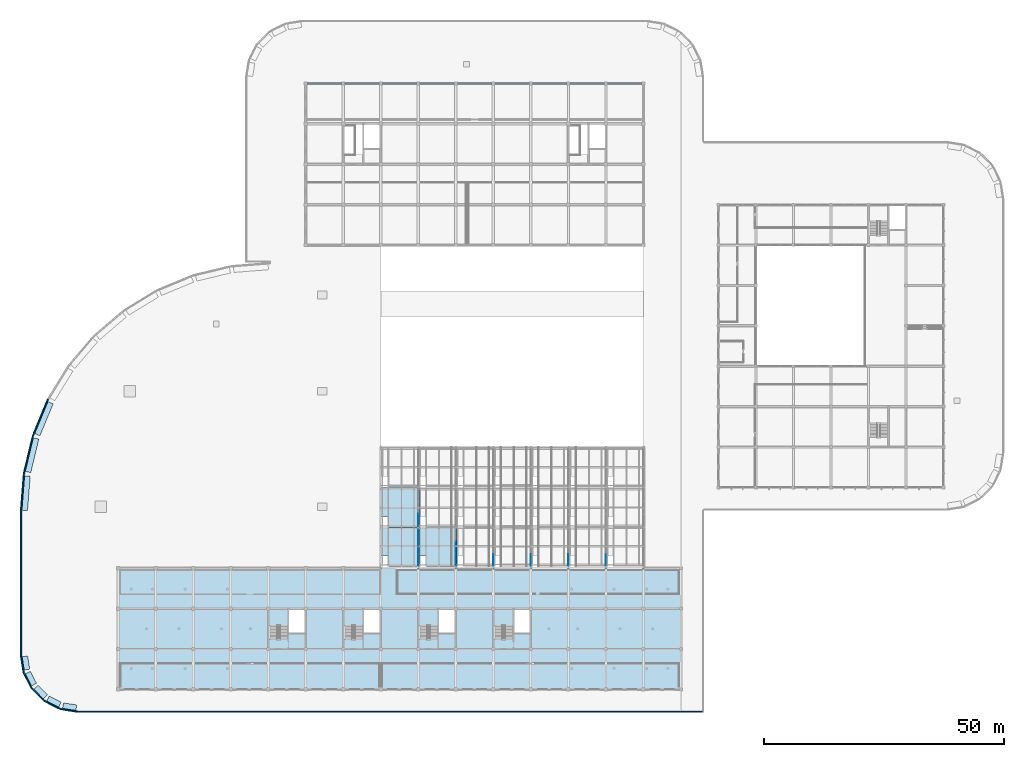
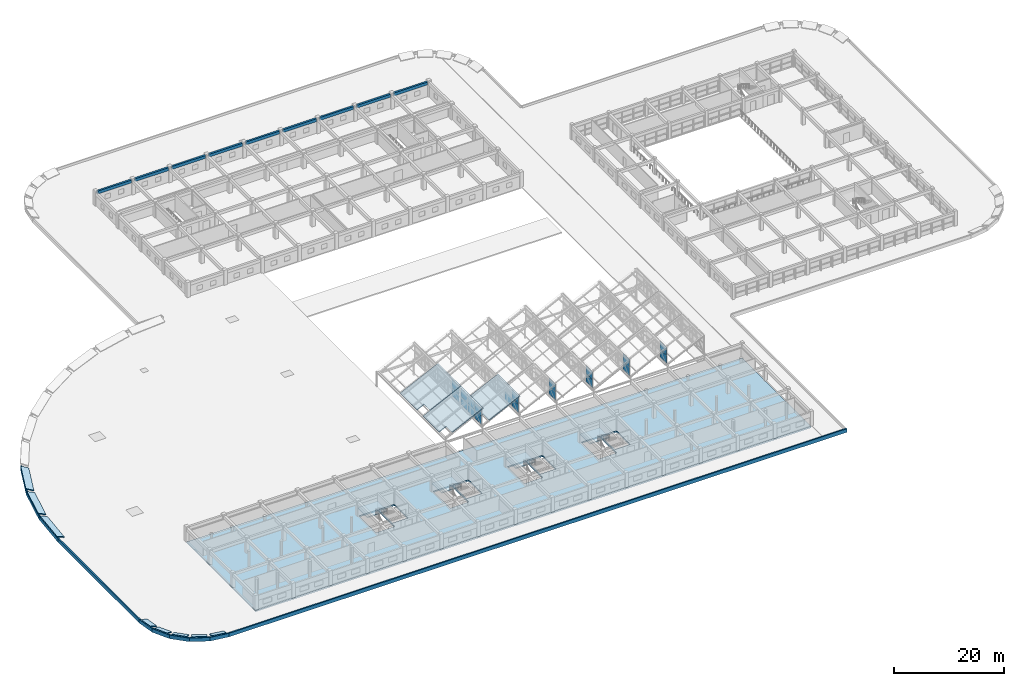
# One storey, part 75 of 101: 29 plates, 16 slabs, 9 beams, 11 elements without a shape of their own.
"""IFC4 building model written with IfcOpenShell, lengths in metres."""

import ifcopenshell
import ifcopenshell.guid

model = None  # the IFC model being written
_history = None  # IfcOwnerHistory: only IFC2X3 demands one
_inside = {}  # id of a spatial element -> (the spatial element, [elements in it])
_under = {}  # id of a project, library or spatial element -> (it, [spatial elements below it])
_declared = {}  # id of a project -> (the project, [libraries it declares])
_typed = {}  # id of a type object -> (the type object, [elements of that type])
_made_of = {}  # id of a material, layer set ... -> (it, [elements and type objects made of it])


def new_model(schema):
    """Start an empty IFC model of exactly this schema.

    Asked for "IFC4X3", IfcOpenShell would pick the latest addendum, in which some entities
    have other attributes; the version numbers below select the first issue.
    IFC2X3 requires an IfcOwnerHistory on every rooted entity: one is made here for all.
    """
    global model, _history
    if schema == "IFC4X3":
        model = ifcopenshell.file(schema_version=(4, 3, 0, 0))
    else:
        model = ifcopenshell.file(schema=schema)
    _inside.clear()
    _under.clear()
    _declared.clear()
    _typed.clear()
    _made_of.clear()
    _history = None
    if model.schema == "IFC2X3":
        org = make("IfcOrganization", Name="unknown")
        user = make(
            "IfcPersonAndOrganization",
            ThePerson=make("IfcPerson", FamilyName="unknown"),
            TheOrganization=org,
        )
        app = make(
            "IfcApplication",
            ApplicationDeveloper=org,
            Version="unknown",
            ApplicationFullName="unknown",
            ApplicationIdentifier="unknown",
        )
        _history = make(
            "IfcOwnerHistory",
            OwningUser=user,
            OwningApplication=app,
            ChangeAction="ADDED",
            CreationDate=0,
        )
    return model


def make(cls, **values):
    """One entity of the class cls with the attributes given. An attribute that is None is left unset."""
    return model.create_entity(
        cls, **{name: value for name, value in values.items() if value is not None}
    )


def rooted(cls, **values):
    """An entity with a GlobalId (a new one), such as an element, a storey or a relation."""
    return make(cls, GlobalId=ifcopenshell.guid.new(), OwnerHistory=_history, **values)


def si_unit(unit_type, name, prefix=None):
    """IfcSIUnit, for example si_unit("LENGTHUNIT", "METRE", prefix="MILLI")."""
    return make("IfcSIUnit", UnitType=unit_type, Prefix=prefix, Name=name)


def assignment(units):
    """IfcUnitAssignment: the units of a project."""
    return None if units is None else make("IfcUnitAssignment", Units=units)


def point(xyz):
    """IfcCartesianPoint."""
    return None if xyz is None else make("IfcCartesianPoint", Coordinates=xyz)


def direction(xyz):
    """IfcDirection."""
    return None if xyz is None else make("IfcDirection", DirectionRatios=xyz)


def frame(location, z_axis=None, x_axis=None):
    """IfcAxis2Placement3D, a coordinate frame: its origin and axes. An axis left out is left unset."""
    return make(
        "IfcAxis2Placement3D",
        Location=point(location),
        Axis=direction(z_axis),
        RefDirection=direction(x_axis),
    )


def frame_2d(location, x_axis=None):
    """IfcAxis2Placement2D, a coordinate frame in the plane: its origin and x axis."""
    return make(
        "IfcAxis2Placement2D", Location=point(location), RefDirection=direction(x_axis)
    )


def origin():
    """The frame at (0, 0, 0) with its axes left unset."""
    return frame((0.0, 0.0, 0.0))


def origin_2d():
    """The frame at (0, 0) in the plane with its x axis left unset."""
    return frame_2d((0.0, 0.0))


def place(relative_to, where):
    """IfcLocalPlacement: puts the frame where relative to a parent placement (None: the world)."""
    return make(
        "IfcLocalPlacement", PlacementRelTo=relative_to, RelativePlacement=where
    )


def context(
    kind, dimensions, precision=None, world=None, true_north=None, identifier=None
):
    """IfcGeometricRepresentationContext, for example the 3D "Model" context."""
    return make(
        "IfcGeometricRepresentationContext",
        ContextIdentifier=identifier,
        ContextType=kind,
        CoordinateSpaceDimension=dimensions,
        Precision=precision,
        WorldCoordinateSystem=world,
        TrueNorth=true_north,
    )


def subcontext(parent, identifier, kind, view, scale=None):
    """IfcGeometricRepresentationSubContext, for example "Body" below "Model"."""
    return make(
        "IfcGeometricRepresentationSubContext",
        ContextIdentifier=identifier,
        ContextType=kind,
        ParentContext=parent,
        TargetScale=scale,
        TargetView=view,
    )


def project(units=None, contexts=None):
    """IfcProject with its units and contexts."""
    return rooted(
        "IfcProject",
        Name="project",
        RepresentationContexts=contexts,
        UnitsInContext=assignment(units),
    )


def spatial(cls, under=None, at=None, **own):
    """A site, building, storey or space (cls), placed at a placement, below another one or the project."""
    s = rooted(cls, ObjectPlacement=at, **own)
    if under is not None:
        _under.setdefault(under.id(), (under, []))[1].append(s)
    return s


def polyline(points):
    """IfcPolyline through the points."""
    return make("IfcPolyline", Points=[point(p) for p in points])


def profile(cls, at=None, kind="AREA", **sizes):
    """A parametric profile (cls). Its sizes go by their IFC names, for example OverallWidth=200.0."""
    return make(cls, ProfileType=kind, Position=at, **sizes)


def rectangle(**sizes):
    """IfcRectangleProfileDef."""
    return profile("IfcRectangleProfileDef", **sizes)


def outline(outer, holes=None, kind="AREA"):
    """IfcArbitraryClosedProfileDef: a profile drawn as a closed curve; with holes, ...WithVoids."""
    if holes is None:
        return make("IfcArbitraryClosedProfileDef", ProfileType=kind, OuterCurve=outer)
    return make(
        "IfcArbitraryProfileDefWithVoids",
        ProfileType=kind,
        OuterCurve=outer,
        InnerCurves=holes,
    )


def extrude(swept, where, along, depth):
    """IfcExtrudedAreaSolid: the profile swept, set in the frame where, extruded along a direction by depth."""
    return make(
        "IfcExtrudedAreaSolid",
        SweptArea=swept,
        Position=where,
        ExtrudedDirection=direction(along),
        Depth=depth,
    )


def shape(context_of_items, identifier, shape_type, items):
    """IfcShapeRepresentation: the items that make up one representation, for example the "Body"."""
    return make(
        "IfcShapeRepresentation",
        ContextOfItems=context_of_items,
        RepresentationIdentifier=identifier,
        RepresentationType=shape_type,
        Items=items,
    )


def material(Name=None, Category=None):
    """IfcMaterial."""
    return make("IfcMaterial", Name=Name, Category=Category)


def layer(
    of_material, thickness, ventilated=None, Name=None, Category=None, Priority=None
):
    """IfcMaterialLayer: one layer of a wall or slab, of a material (None: an air gap)."""
    return make(
        "IfcMaterialLayer",
        Material=of_material,
        LayerThickness=thickness,
        IsVentilated=ventilated,
        Name=Name,
        Category=Category,
        Priority=Priority,
    )


def layer_set(layers, Name=None):
    """IfcMaterialLayerSet."""
    return make("IfcMaterialLayerSet", MaterialLayers=layers, LayerSetName=Name)


def material_profile(
    of_material, cross_section, Name=None, Category=None, Priority=None
):
    """IfcMaterialProfile: a cross section and its material."""
    return make(
        "IfcMaterialProfile",
        Name=Name,
        Material=of_material,
        Profile=cross_section,
        Priority=Priority,
        Category=Category,
    )


def profile_set(profiles, Name=None, composite=None):
    """IfcMaterialProfileSet."""
    return make(
        "IfcMaterialProfileSet",
        Name=Name,
        MaterialProfiles=profiles,
        CompositeProfile=composite,
    )


def made_of(thing, what):
    """Note that an element or type object is made of a material, layer set ...; save() writes the relation."""
    if what is not None:
        _made_of.setdefault(what.id(), (what, []))[1].append(thing)
    return thing


def type_object(cls, material=None, **own):
    """A type object (cls), such as IfcWallType, which elements share."""
    return made_of(rooted(cls, **own), material)


def element(
    cls,
    number,
    at=None,
    inside=None,
    cuts=None,
    type_object=None,
    material=None,
    context=None,
    identifier="Body",
    shape_type=None,
    held_by="IfcProductDefinitionShape",
    body=None,
    shapes=None,
    **own,
):
    """One element of the class cls, such as IfcWall. Its Tag is "e" and its number.

    at: its placement. inside: the storey or other place that contains it. cuts: it is an
    opening in that element (IfcRelVoidsElement). A single representation is given by context,
    identifier, shape_type and body (its items); several are given by shapes. held_by: the class
    of the entity that holds the representations. save() writes the other relations.
    """
    e = rooted(cls, Tag="e%d" % number, ObjectPlacement=at, **own)
    if body is not None:
        shapes = [shape(context, identifier, shape_type, body)]
    if shapes is not None:
        e.Representation = make(held_by, Representations=shapes)
    if inside is not None:
        _inside.setdefault(inside.id(), (inside, []))[1].append(e)
    if cuts is not None:
        rooted(
            "IfcRelVoidsElement", RelatingBuildingElement=cuts, RelatedOpeningElement=e
        )
    if type_object is not None:
        _typed.setdefault(type_object.id(), (type_object, []))[1].append(e)
    return made_of(e, material)


def aggregate(whole, parts):
    """IfcRelAggregates: a whole, such as a stair, and the parts it consists of."""
    return rooted("IfcRelAggregates", RelatingObject=whole, RelatedObjects=parts)


def save(model, path):
    """Write the relations noted so far, then the file.

    IfcRelAggregates (storeys below a building ...), IfcRelContainedInSpatialStructure (elements
    in a storey), IfcRelDefinesByType, IfcRelAssociatesMaterial and IfcRelDeclares: one each for
    every whole, place, type object, material and project.
    """
    for whole, parts in _under.values():
        aggregate(whole, parts)
    for where, things in _inside.values():
        rooted(
            "IfcRelContainedInSpatialStructure",
            RelatedElements=things,
            RelatingStructure=where,
        )
    for kind, things in _typed.values():
        rooted("IfcRelDefinesByType", RelatedObjects=things, RelatingType=kind)
    for what, things in _made_of.values():
        rooted("IfcRelAssociatesMaterial", RelatedObjects=things, RelatingMaterial=what)
    for by, libraries in _declared.values():
        rooted("IfcRelDeclares", RelatingContext=by, RelatedDefinitions=libraries)
    model.write(path)


model = new_model("IFC4")

# Units and contexts
model_context = context("Model", 3, precision=1e-05, world=origin(), true_north=direction((0.0, 1.0)))
body_context = subcontext(model_context, "Body", "Model", "MODEL_VIEW")
ifc_project = project(units=[si_unit("LENGTHUNIT", "METRE"), si_unit("AREAUNIT", "SQUARE_METRE"), si_unit("VOLUMEUNIT", "CUBIC_METRE"), si_unit("PLANEANGLEUNIT", "RADIAN"), si_unit("MASSUNIT", "GRAM", prefix="KILO")], contexts=[model_context])

# Site, building, storey
site_placement = place(None, origin())
site = spatial("IfcSite", under=ifc_project, at=site_placement, CompositionType="ELEMENT")
building_placement = place(site_placement, origin())
building = spatial("IfcBuilding", under=site, at=building_placement, Name="Zizhar Promenade General Hospital", CompositionType="ELEMENT")
storey_placement = place(building_placement, frame((0.0, 0.0, 14.39990234375)))
storey = spatial("IfcBuildingStorey", under=building, at=storey_placement, Name="L03", CompositionType="ELEMENT", Elevation=14.39990234375)

# Beams
ifc_material_1 = material(Name="Concrete C35/45", Category="concrete")
ifc_material_profile = material_profile(ifc_material_1, rectangle(XDim=0.39990234375, YDim=0.64990234375, at=origin_2d()))
ifc_profile_set = profile_set([ifc_material_profile], Name="Concrete C35/45")
beam_type = type_object("IfcBeamType", Name="BM-RC-400x650", PredefinedType="BEAM", material=ifc_profile_set)
for number, where, z_axis, x_axis, name in (
    (1, (54.949951171875, 126.0, 2.985107421875), (1.0, 0.0, 0.0), (0.0, 1.0, 0.0), "Grid Beam X L03 (7-15)"),
    (2, (62.75, 126.0, 2.985107421875), (1.0, 0.0, 0.0), (0.0, 1.0, 0.0), "Grid Beam X L03 (8-15)"),
):
    element("IfcBeam", number, at=place(storey_placement, frame(where, z_axis=z_axis, x_axis=x_axis)), inside=storey, type_object=beam_type, Name=name, PredefinedType="BEAM", context=body_context, shape_type="SweptSolid", body=[
        extrude(rectangle(XDim=0.39990234375, YDim=0.64990234375, at=origin_2d()), origin(), (0.0, 0.0, 1.0), 7.10009765625),
    ])
for number, where, z_axis, x_axis, name in (
    (3, (70.550048828125, 126.0, 2.985107421875), (1.0, 0.0, 0.0), (0.0, 1.0, 0.0), "Grid Beam X L03 (9-15)"),
    (4, (78.35009765625, 126.0, 2.985107421875), (1.0, 0.0, 0.0), (0.0, 1.0, 0.0), "Grid Beam X L03 (10-15)"),
):
    element("IfcBeam", number, at=place(storey_placement, frame(where, z_axis=z_axis, x_axis=x_axis)), inside=storey, type_object=beam_type, Name=name, PredefinedType="BEAM", context=body_context, shape_type="SweptSolid", body=[
        extrude(rectangle(XDim=0.39990234375, YDim=0.64990234375, at=origin_2d()), origin(), (0.0, 0.0, 1.0), 7.099853515625),
    ])
for number, where, z_axis, x_axis, name in (
    (5, (86.14990234375, 126.0, 2.985107421875), (1.0, 0.0, 0.0), (0.0, 1.0, 0.0), "Grid Beam X L03 (11-15)"),
    (6, (93.949951171875, 126.0, 2.985107421875), (1.0, 0.0, 0.0), (0.0, 1.0, 0.0), "Grid Beam X L03 (12-15)"),
    (7, (101.75, 126.0, 2.985107421875), (1.0, 0.0, 0.0), (0.0, 1.0, 0.0), "Grid Beam X L03 (13-15)"),
):
    element("IfcBeam", number, at=place(storey_placement, frame(where, z_axis=z_axis, x_axis=x_axis)), inside=storey, type_object=beam_type, Name=name, PredefinedType="BEAM", context=body_context, shape_type="SweptSolid", body=[
        extrude(rectangle(XDim=0.39990234375, YDim=0.64990234375, at=origin_2d()), origin(), (0.0, 0.0, 1.0), 7.10009765625),
    ])
for number, where, z_axis, x_axis, name in (
    (8, (109.550048828125, 126.0, 2.985107421875), (1.0, 0.0, 0.0), (0.0, 1.0, 0.0), "Grid Beam X L03 (14-15)"),
    (9, (117.35009765625, 126.0, 2.985107421875), (1.0, 0.0, 0.0), (0.0, 1.0, 0.0), "Grid Beam X L03 (15-15)"),
):
    element("IfcBeam", number, at=place(storey_placement, frame(where, z_axis=z_axis, x_axis=x_axis)), inside=storey, type_object=beam_type, Name=name, PredefinedType="BEAM", context=body_context, shape_type="SweptSolid", body=[
        extrude(rectangle(XDim=0.39990234375, YDim=0.64990234375, at=origin_2d()), origin(), (0.0, 0.0, 1.0), 7.099853515625),
    ])

# Curtain wall, plates
ifc_material_2 = material(Name="Anodised aluminium 6063-T6 and low-E glass", Category="aluminium")
ifc_layer_1 = layer(ifc_material_2, 0.159912109375)
ifc_layer_set_1 = layer_set([ifc_layer_1], Name="Anodised aluminium 6063-T6 and low-E glass")
curtain_wall_type_1 = type_object("IfcCurtainWallType", Name="CW-SAW-NL1", PredefinedType="NOTDEFINED", material=ifc_layer_set_1)
curtain_wall_1_placement = place(storey_placement, origin())
curtain_wall_1 = element("IfcCurtainWall", 10, at=curtain_wall_1_placement, inside=storey, type_object=curtain_wall_type_1, Name="Sawtooth Clerestory Light B1-S1", PredefinedType="NOTDEFINED")
ifc_material_3 = material(Name="Low-E solar-control glass", Category="glass")
ifc_layer_2 = layer(ifc_material_3, 0.028076171875)
ifc_layer_set_2 = layer_set([ifc_layer_2], Name="Low-E solar-control glass")
plate_type_1 = type_object("IfcPlateType", Name="CWP-GLZ-28", PredefinedType="CURTAIN_PANEL", material=ifc_layer_set_2)
plate_1_placement = place(storey_placement, frame((78.0, 26.8984375, 3.91015625), z_axis=(0.0, 0.0, 1.0), x_axis=(0.0, 1.0, 0.0)))
plate_1 = element("IfcPlate", 11, at=plate_1_placement, type_object=plate_type_1, Name="CW-03 panel 1.1", PredefinedType="CURTAIN_PANEL", context=body_context, shape_type="SweptSolid", body=[
    extrude(rectangle(XDim=2.4765625, YDim=0.028076171875, at=origin_2d()), origin(), (0.0, 0.0, 1.0), 1.760009765625),
])
plate_2_placement = place(storey_placement, frame((78.0, 26.8984375, 5.72998046875), z_axis=(0.0, 0.0, 1.0), x_axis=(0.0, 1.0, 0.0)))
plate_2 = element("IfcPlate", 12, at=plate_2_placement, type_object=plate_type_1, Name="CW-03 panel 1.2", PredefinedType="CURTAIN_PANEL", context=body_context, shape_type="SweptSolid", body=[
    extrude(rectangle(XDim=2.4765625, YDim=0.028076171875, at=origin_2d()), origin(), (0.0, 0.0, 1.0), 1.760009765625),
])
plate_3_placement = place(storey_placement, frame((78.0, 29.449951171875, 3.91015625), z_axis=(0.0, 0.0, 1.0), x_axis=(0.0, 1.0, 0.0)))
plate_3 = element("IfcPlate", 13, at=plate_3_placement, type_object=plate_type_1, Name="CW-03 panel 2.1", PredefinedType="CURTAIN_PANEL", context=body_context, shape_type="SweptSolid", body=[
    extrude(rectangle(XDim=2.506591796875, YDim=0.028076171875, at=origin_2d()), origin(), (0.0, 0.0, 1.0), 1.760009765625),
])
plate_4_placement = place(storey_placement, frame((78.0, 29.449951171875, 5.72998046875), z_axis=(0.0, 0.0, 1.0), x_axis=(0.0, 1.0, 0.0)))
plate_4 = element("IfcPlate", 14, at=plate_4_placement, type_object=plate_type_1, Name="CW-03 panel 2.2", PredefinedType="CURTAIN_PANEL", context=body_context, shape_type="SweptSolid", body=[
    extrude(rectangle(XDim=2.506591796875, YDim=0.028076171875, at=origin_2d()), origin(), (0.0, 0.0, 1.0), 1.760009765625),
])
plate_5_placement = place(storey_placement, frame((78.0, 32.001708984375, 3.91015625), z_axis=(0.0, 0.0, 1.0), x_axis=(0.0, 1.0, 0.0)))
plate_5 = element("IfcPlate", 15, at=plate_5_placement, type_object=plate_type_1, Name="CW-03 panel 3.1", PredefinedType="CURTAIN_PANEL", context=body_context, shape_type="SweptSolid", body=[
    extrude(rectangle(XDim=2.4765625, YDim=0.028076171875, at=origin_2d()), origin(), (0.0, 0.0, 1.0), 1.760009765625),
])
plate_6_placement = place(storey_placement, frame((78.0, 32.001708984375, 5.72998046875), z_axis=(0.0, 0.0, 1.0), x_axis=(0.0, 1.0, 0.0)))
plate_6 = element("IfcPlate", 16, at=plate_6_placement, type_object=plate_type_1, Name="CW-03 panel 3.2", PredefinedType="CURTAIN_PANEL", context=body_context, shape_type="SweptSolid", body=[
    extrude(rectangle(XDim=2.4765625, YDim=0.028076171875, at=origin_2d()), origin(), (0.0, 0.0, 1.0), 1.760009765625),
])
aggregate(curtain_wall_1, [plate_1, plate_2, plate_3, plate_4, plate_5, plate_6])

ifc_material_4 = material(Name="Anodised aluminium 6063-T6 and low-E glass", Category="aluminium")
ifc_layer_3 = layer(ifc_material_4, 0.159912109375)
ifc_layer_set_3 = layer_set([ifc_layer_3], Name="Anodised aluminium 6063-T6 and low-E glass")
curtain_wall_type_2 = type_object("IfcCurtainWallType", Name="CW-SAW-NL2", PredefinedType="NOTDEFINED", material=ifc_layer_set_3)
curtain_wall_2_placement = place(storey_placement, origin())
curtain_wall_2 = element("IfcCurtainWall", 17, at=curtain_wall_2_placement, inside=storey, type_object=curtain_wall_type_2, Name="Sawtooth Clerestory Light B1-S2", PredefinedType="NOTDEFINED")
plate_7_placement = place(storey_placement, frame((78.0, 35.215087890625, 3.91015625), z_axis=(0.0, 0.0, 1.0), x_axis=(0.0, 1.0, 0.0)))
plate_7 = element("IfcPlate", 18, at=plate_7_placement, type_object=plate_type_1, Name="CW-04 panel 1.1", PredefinedType="CURTAIN_PANEL", context=body_context, shape_type="SweptSolid", body=[
    extrude(rectangle(XDim=2.510009765625, YDim=0.028076171875, at=origin_2d()), origin(), (0.0, 0.0, 1.0), 1.760009765625),
])
plate_8_placement = place(storey_placement, frame((78.0, 35.215087890625, 5.72998046875), z_axis=(0.0, 0.0, 1.0), x_axis=(0.0, 1.0, 0.0)))
plate_8 = element("IfcPlate", 19, at=plate_8_placement, type_object=plate_type_1, Name="CW-04 panel 1.2", PredefinedType="CURTAIN_PANEL", context=body_context, shape_type="SweptSolid", body=[
    extrude(rectangle(XDim=2.510009765625, YDim=0.028076171875, at=origin_2d()), origin(), (0.0, 0.0, 1.0), 1.760009765625),
])
aggregate(curtain_wall_2, [plate_7, plate_8])

curtain_wall_3_placement = place(storey_placement, origin())
curtain_wall_3 = element("IfcCurtainWall", 20, at=curtain_wall_3_placement, inside=storey, type_object=curtain_wall_type_1, Name="Sawtooth Clerestory Light B2-S1", PredefinedType="NOTDEFINED")
plate_9_placement = place(storey_placement, frame((85.800048828125, 26.8984375, 3.91015625), z_axis=(0.0, 0.0, 1.0), x_axis=(0.0, 1.0, 0.0)))
plate_9 = element("IfcPlate", 21, at=plate_9_placement, type_object=plate_type_1, Name="CW-03 panel 1.1", PredefinedType="CURTAIN_PANEL", context=body_context, shape_type="SweptSolid", body=[
    extrude(rectangle(XDim=2.4765625, YDim=0.028076171875, at=origin_2d()), origin(), (0.0, 0.0, 1.0), 1.760009765625),
])
plate_10_placement = place(storey_placement, frame((85.800048828125, 26.8984375, 5.72998046875), z_axis=(0.0, 0.0, 1.0), x_axis=(0.0, 1.0, 0.0)))
plate_10 = element("IfcPlate", 22, at=plate_10_placement, type_object=plate_type_1, Name="CW-03 panel 1.2", PredefinedType="CURTAIN_PANEL", context=body_context, shape_type="SweptSolid", body=[
    extrude(rectangle(XDim=2.4765625, YDim=0.028076171875, at=origin_2d()), origin(), (0.0, 0.0, 1.0), 1.760009765625),
])
plate_11_placement = place(storey_placement, frame((85.800048828125, 29.449951171875, 3.91015625), z_axis=(0.0, 0.0, 1.0), x_axis=(0.0, 1.0, 0.0)))
plate_11 = element("IfcPlate", 23, at=plate_11_placement, type_object=plate_type_1, Name="CW-03 panel 2.1", PredefinedType="CURTAIN_PANEL", context=body_context, shape_type="SweptSolid", body=[
    extrude(rectangle(XDim=2.506591796875, YDim=0.028076171875, at=origin_2d()), origin(), (0.0, 0.0, 1.0), 1.760009765625),
])
aggregate(curtain_wall_3, [plate_9, plate_10, plate_11])

curtain_wall_4_placement = place(storey_placement, origin())
curtain_wall_4 = element("IfcCurtainWall", 24, at=curtain_wall_4_placement, inside=storey, type_object=curtain_wall_type_1, Name="Sawtooth Clerestory Light B3-S1", PredefinedType="NOTDEFINED")
plate_12_placement = place(storey_placement, frame((93.60009765625, 26.8984375, 3.91015625), z_axis=(0.0, 0.0, 1.0), x_axis=(0.0, 1.0, 0.0)))
plate_12 = element("IfcPlate", 25, at=plate_12_placement, type_object=plate_type_1, Name="CW-03 panel 1.1", PredefinedType="CURTAIN_PANEL", context=body_context, shape_type="SweptSolid", body=[
    extrude(rectangle(XDim=2.4765625, YDim=0.028076171875, at=origin_2d()), origin(), (0.0, 0.0, 1.0), 1.760009765625),
])
plate_13_placement = place(storey_placement, frame((93.60009765625, 26.8984375, 5.72998046875), z_axis=(0.0, 0.0, 1.0), x_axis=(0.0, 1.0, 0.0)))
plate_13 = element("IfcPlate", 26, at=plate_13_placement, type_object=plate_type_1, Name="CW-03 panel 1.2", PredefinedType="CURTAIN_PANEL", context=body_context, shape_type="SweptSolid", body=[
    extrude(rectangle(XDim=2.4765625, YDim=0.028076171875, at=origin_2d()), origin(), (0.0, 0.0, 1.0), 1.760009765625),
])
aggregate(curtain_wall_4, [plate_12, plate_13])

curtain_wall_5_placement = place(storey_placement, origin())
curtain_wall_5 = element("IfcCurtainWall", 27, at=curtain_wall_5_placement, inside=storey, type_object=curtain_wall_type_1, Name="Sawtooth Clerestory Light B4-S1", PredefinedType="NOTDEFINED")
plate_14_placement = place(storey_placement, frame((101.39990234375, 26.8984375, 3.91015625), z_axis=(0.0, 0.0, 1.0), x_axis=(0.0, 1.0, 0.0)))
plate_14 = element("IfcPlate", 28, at=plate_14_placement, type_object=plate_type_1, Name="CW-03 panel 1.1", PredefinedType="CURTAIN_PANEL", context=body_context, shape_type="SweptSolid", body=[
    extrude(rectangle(XDim=2.4765625, YDim=0.028076171875, at=origin_2d()), origin(), (0.0, 0.0, 1.0), 1.760009765625),
])
plate_15_placement = place(storey_placement, frame((101.39990234375, 26.8984375, 5.72998046875), z_axis=(0.0, 0.0, 1.0), x_axis=(0.0, 1.0, 0.0)))
plate_15 = element("IfcPlate", 29, at=plate_15_placement, type_object=plate_type_1, Name="CW-03 panel 1.2", PredefinedType="CURTAIN_PANEL", context=body_context, shape_type="SweptSolid", body=[
    extrude(rectangle(XDim=2.4765625, YDim=0.028076171875, at=origin_2d()), origin(), (0.0, 0.0, 1.0), 1.760009765625),
])
aggregate(curtain_wall_5, [plate_14, plate_15])

curtain_wall_6_placement = place(storey_placement, origin())
curtain_wall_6 = element("IfcCurtainWall", 30, at=curtain_wall_6_placement, inside=storey, type_object=curtain_wall_type_1, Name="Sawtooth Clerestory Light B5-S1", PredefinedType="NOTDEFINED")
plate_16_placement = place(storey_placement, frame((109.199951171875, 26.8984375, 3.91015625), z_axis=(0.0, 0.0, 1.0), x_axis=(0.0, 1.0, 0.0)))
plate_16 = element("IfcPlate", 31, at=plate_16_placement, type_object=plate_type_1, Name="CW-03 panel 1.1", PredefinedType="CURTAIN_PANEL", context=body_context, shape_type="SweptSolid", body=[
    extrude(rectangle(XDim=2.4765625, YDim=0.028076171875, at=origin_2d()), origin(), (0.0, 0.0, 1.0), 1.760009765625),
])
plate_17_placement = place(storey_placement, frame((109.199951171875, 26.8984375, 5.72998046875), z_axis=(0.0, 0.0, 1.0), x_axis=(0.0, 1.0, 0.0)))
plate_17 = element("IfcPlate", 32, at=plate_17_placement, type_object=plate_type_1, Name="CW-03 panel 1.2", PredefinedType="CURTAIN_PANEL", context=body_context, shape_type="SweptSolid", body=[
    extrude(rectangle(XDim=2.4765625, YDim=0.028076171875, at=origin_2d()), origin(), (0.0, 0.0, 1.0), 1.760009765625),
])
aggregate(curtain_wall_6, [plate_16, plate_17])

curtain_wall_7_placement = place(storey_placement, origin())
curtain_wall_7 = element("IfcCurtainWall", 33, at=curtain_wall_7_placement, inside=storey, type_object=curtain_wall_type_1, Name="Sawtooth Clerestory Light B6-S1", PredefinedType="NOTDEFINED")
plate_18_placement = place(storey_placement, frame((117.0, 26.8984375, 3.91015625), z_axis=(0.0, 0.0, 1.0), x_axis=(0.0, 1.0, 0.0)))
plate_18 = element("IfcPlate", 34, at=plate_18_placement, type_object=plate_type_1, Name="CW-03 panel 1.1", PredefinedType="CURTAIN_PANEL", context=body_context, shape_type="SweptSolid", body=[
    extrude(rectangle(XDim=2.4765625, YDim=0.028076171875, at=origin_2d()), origin(), (0.0, 0.0, 1.0), 1.760009765625),
])
plate_19_placement = place(storey_placement, frame((117.0, 26.8984375, 5.72998046875), z_axis=(0.0, 0.0, 1.0), x_axis=(0.0, 1.0, 0.0)))
plate_19 = element("IfcPlate", 35, at=plate_19_placement, type_object=plate_type_1, Name="CW-03 panel 1.2", PredefinedType="CURTAIN_PANEL", context=body_context, shape_type="SweptSolid", body=[
    extrude(rectangle(XDim=2.4765625, YDim=0.028076171875, at=origin_2d()), origin(), (0.0, 0.0, 1.0), 1.760009765625),
])
aggregate(curtain_wall_7, [plate_18, plate_19])

# Plates
ifc_material_5 = material(Name="Precast concrete C40/50", Category="concrete")
ifc_layer_4 = layer(ifc_material_5, 0.260009765625)
ifc_layer_set_4 = layer_set([ifc_layer_4], Name="Precast concrete C40/50")
plate_type_2 = type_object("IfcPlateType", Name="PL-PC-BAND950", PredefinedType="USERDEFINED", material=ifc_layer_set_4)
plate_20_placement = place(storey_placement, frame((0.0, 0.0, -0.0498046875)))
element("IfcPlate", 36, at=plate_20_placement, inside=storey, type_object=plate_type_2, Name="Three-Arm Base Roof Upturned Edge Fascia 01", ObjectType="FASCIA_BAND", PredefinedType="USERDEFINED", context=body_context, shape_type="SweptSolid", body=[
    extrude(outline(polyline([(-4.800048828125, 7.199951171875), (-4.212646484375, 3.49169921875), (-3.93603515625, 3.53564453125), (-4.5234375, 7.243896484375), (-4.800048828125, 7.199951171875)])), origin(), (0.0, 0.0, 1.0), 0.7998046875),
])
plate_21_placement = place(storey_placement, frame((0.0, 0.0, -0.0498046875)))
element("IfcPlate", 37, at=plate_21_placement, inside=storey, type_object=plate_type_2, Name="Three-Arm Base Roof Upturned Edge Fascia 02", ObjectType="FASCIA_BAND", PredefinedType="USERDEFINED", context=body_context, shape_type="SweptSolid", body=[
    extrude(outline(polyline([(-4.212646484375, 3.49169921875), (-2.50830078125, 0.146484375), (-2.2587890625, 0.273681640625), (-3.963134765625, 3.618896484375), (-4.212646484375, 3.49169921875)])), origin(), (0.0, 0.0, 1.0), 0.7998046875),
])
plate_22_placement = place(storey_placement, frame((0.0, 0.0, -0.0498046875)))
element("IfcPlate", 38, at=plate_22_placement, inside=storey, type_object=plate_type_2, Name="Three-Arm Base Roof Upturned Edge Fascia 03", ObjectType="FASCIA_BAND", PredefinedType="USERDEFINED", context=body_context, shape_type="SweptSolid", body=[
    extrude(outline(polyline([(-2.50830078125, 0.146484375), (0.146484375, -2.50830078125), (0.344482421875, -2.310302734375), (-2.310302734375, 0.344482421875), (-2.50830078125, 0.146484375)])), origin(), (0.0, 0.0, 1.0), 0.7998046875),
])
plate_23_placement = place(storey_placement, frame((0.0, 0.0, -0.0498046875)))
element("IfcPlate", 39, at=plate_23_placement, inside=storey, type_object=plate_type_2, Name="Three-Arm Base Roof Upturned Edge Fascia 04", ObjectType="FASCIA_BAND", PredefinedType="USERDEFINED", context=body_context, shape_type="SweptSolid", body=[
    extrude(outline(polyline([(0.146484375, -2.50830078125), (3.49169921875, -4.212646484375), (3.618896484375, -3.963134765625), (0.273681640625, -2.2587890625), (0.146484375, -2.50830078125)])), origin(), (0.0, 0.0, 1.0), 0.7998046875),
])
plate_24_placement = place(storey_placement, frame((0.0, 0.0, -0.0498046875)))
element("IfcPlate", 40, at=plate_24_placement, inside=storey, type_object=plate_type_2, Name="Three-Arm Base Roof Upturned Edge Fascia 05", ObjectType="FASCIA_BAND", PredefinedType="USERDEFINED", context=body_context, shape_type="SweptSolid", body=[
    extrude(outline(polyline([(3.49169921875, -4.212646484375), (7.199951171875, -4.800048828125), (7.243896484375, -4.5234375), (3.53564453125, -3.93603515625), (3.49169921875, -4.212646484375)])), origin(), (0.0, 0.0, 1.0), 0.7998046875),
])
plate_25_placement = place(storey_placement, frame((0.0, 0.0, -0.0498046875)))
element("IfcPlate", 41, at=plate_25_placement, inside=storey, type_object=plate_type_2, Name="Three-Arm Base Roof Upturned Edge Fascia 06", ObjectType="FASCIA_BAND", PredefinedType="USERDEFINED", context=body_context, shape_type="SweptSolid", body=[
    extrude(outline(polyline([(7.199951171875, -4.800048828125), (137.39990234375, -4.800048828125), (137.39990234375, -4.52001953125), (7.199951171875, -4.52001953125), (7.199951171875, -4.800048828125)])), origin(), (0.0, 0.0, 1.0), 0.7998046875),
])
plate_26_placement = place(storey_placement, frame((0.0, 0.0, -0.0498046875)))
element("IfcPlate", 42, at=plate_26_placement, inside=storey, type_object=plate_type_2, Name="Three-Arm Base Roof Upturned Edge Fascia 42", ObjectType="FASCIA_BAND", PredefinedType="USERDEFINED", context=body_context, shape_type="SweptSolid", body=[
    extrude(outline(polyline([(0.86767578125, 60.407470703125), (-2.2548828125, 52.868896484375), (-1.99609375, 52.76171875), (1.12646484375, 60.30029296875), (0.86767578125, 60.407470703125)])), origin(), (0.0, 0.0, 1.0), 0.7998046875),
])
plate_27_placement = place(storey_placement, frame((0.0, 0.0, -0.0498046875)))
element("IfcPlate", 43, at=plate_27_placement, inside=storey, type_object=plate_type_2, Name="Three-Arm Base Roof Upturned Edge Fascia 43", ObjectType="FASCIA_BAND", PredefinedType="USERDEFINED", context=body_context, shape_type="SweptSolid", body=[
    extrude(outline(polyline([(-2.2548828125, 52.868896484375), (-4.159912109375, 44.9345703125), (-3.887451171875, 44.869140625), (-1.982666015625, 52.803466796875), (-2.2548828125, 52.868896484375)])), origin(), (0.0, 0.0, 1.0), 0.7998046875),
])
plate_28_placement = place(storey_placement, frame((0.0, 0.0, -0.0498046875)))
element("IfcPlate", 44, at=plate_28_placement, inside=storey, type_object=plate_type_2, Name="Three-Arm Base Roof Upturned Edge Fascia 44", ObjectType="FASCIA_BAND", PredefinedType="USERDEFINED", context=body_context, shape_type="SweptSolid", body=[
    extrude(outline(polyline([(-4.159912109375, 44.9345703125), (-4.800048828125, 36.800048828125), (-4.52099609375, 36.778076171875), (-3.880615234375, 44.91259765625), (-4.159912109375, 44.9345703125)])), origin(), (0.0, 0.0, 1.0), 0.7998046875),
])
plate_29_placement = place(storey_placement, frame((0.0, 0.0, -0.0498046875)))
element("IfcPlate", 45, at=plate_29_placement, inside=storey, type_object=plate_type_2, Name="Three-Arm Base Roof Upturned Edge Fascia 45", ObjectType="FASCIA_BAND", PredefinedType="USERDEFINED", context=body_context, shape_type="SweptSolid", body=[
    extrude(outline(polyline([(-4.800048828125, 36.800048828125), (-4.800048828125, 7.199951171875), (-4.52001953125, 7.199951171875), (-4.52001953125, 36.800048828125), (-4.800048828125, 36.800048828125)])), origin(), (0.0, 0.0, 1.0), 0.7998046875),
])

# Slab
ifc_material_6 = material(Name="Concrete C35/45", Category="concrete")
ifc_layer_5 = layer(ifc_material_6, 0.320068359375)
ifc_layer_set_5 = layer_set([ifc_layer_5], Name="Concrete C35/45")
slab_type_1 = type_object("IfcSlabType", Name="SLB-FLR-320", PredefinedType="FLOOR", material=ifc_layer_set_5)
slab_1_placement = place(storey_placement, frame((0.0, 0.0, -0.31982421875)))
element("IfcSlab", 46, at=slab_1_placement, inside=storey, type_object=slab_type_1, Name="Level L03 Ward Interstitial Floor Slab", PredefinedType="FLOOR", context=body_context, shape_type="SweptSolid", body=[
    extrude(outline(polyline([(15.60009765625, 0.0), (132.60009765625, 0.0), (132.60009765625, 25.199951171875), (15.60009765625, 25.199951171875), (15.60009765625, 0.0)]), holes=[polyline([(46.97998046875, 10.429931640625), (46.97998046875, 16.6201171875), (50.8798828125, 16.6201171875), (50.8798828125, 10.429931640625), (46.97998046875, 10.429931640625)]), polyline([(51.14990234375, 11.6201171875), (51.14990234375, 16.580078125), (54.3798828125, 16.580078125), (54.3798828125, 11.6201171875), (51.14990234375, 11.6201171875)]), polyline([(62.580078125, 10.429931640625), (62.580078125, 16.6201171875), (66.47998046875, 16.6201171875), (66.47998046875, 10.429931640625), (62.580078125, 10.429931640625)]), polyline([(66.75, 11.6201171875), (66.75, 16.580078125), (69.97998046875, 16.580078125), (69.97998046875, 11.6201171875), (66.75, 11.6201171875)]), polyline([(78.179931640625, 10.429931640625), (78.179931640625, 16.6201171875), (82.080078125, 16.6201171875), (82.080078125, 10.429931640625), (78.179931640625, 10.429931640625)]), polyline([(82.35009765625, 11.6201171875), (82.35009765625, 16.580078125), (85.580078125, 16.580078125), (85.580078125, 11.6201171875), (82.35009765625, 11.6201171875)]), polyline([(93.780029296875, 10.429931640625), (93.780029296875, 16.6201171875), (97.679931640625, 16.6201171875), (97.679931640625, 10.429931640625), (93.780029296875, 10.429931640625)]), polyline([(97.949951171875, 11.6201171875), (97.949951171875, 16.580078125), (101.179931640625, 16.580078125), (101.179931640625, 11.6201171875), (97.949951171875, 11.6201171875)])]), origin(), (0.0, 0.0, 1.0), 0.31982421875),
])

# Stair, slab
ifc_material_7 = material(Name="Concrete C35/45", Category="concrete")
stair_type = type_object("IfcStairType", Name="STR-DOG-360", PredefinedType="HALF_TURN_STAIR", material=ifc_material_7)
stair_1_placement = place(storey_placement, origin())
stair_1 = element("IfcStair", 47, at=stair_1_placement, inside=storey, type_object=stair_type, Name="Exit Stair ST-02 (L03 to L04)", PredefinedType="HALF_TURN_STAIR")
ifc_material_8 = material(Name="Concrete C35/45", Category="concrete")
ifc_layer_6 = layer(ifc_material_8, 0.199951171875)
ifc_layer_set_6 = layer_set([ifc_layer_6], Name="Concrete C35/45")
slab_type_2 = type_object("IfcSlabType", Name="SLB-LAND-360", PredefinedType="LANDING", material=ifc_layer_set_6)
slab_2_placement = place(storey_placement, frame((0.0, 0.0, 1.60009765625)))
slab_2 = element("IfcSlab", 48, at=slab_2_placement, type_object=slab_type_2, Name="ST-02B landing 1", PredefinedType="LANDING", context=body_context, shape_type="SweptSolid", body=[
    extrude(outline(polyline([(46.800048828125, 13.27001953125), (50.949951171875, 13.27001953125), (50.949951171875, 16.800048828125), (46.800048828125, 16.800048828125), (46.800048828125, 13.27001953125)])), origin(), (0.0, 0.0, 1.0), 0.199951171875),
])
aggregate(stair_1, [slab_2])

stair_2_placement = place(storey_placement, origin())
stair_2 = element("IfcStair", 49, at=stair_2_placement, inside=storey, type_object=stair_type, Name="Exit Stair ST-03 (L03 to L04)", PredefinedType="HALF_TURN_STAIR")
slab_3_placement = place(storey_placement, frame((0.0, 0.0, 1.60009765625)))
slab_3 = element("IfcSlab", 50, at=slab_3_placement, type_object=slab_type_2, Name="ST-03B landing 1", PredefinedType="LANDING", context=body_context, shape_type="SweptSolid", body=[
    extrude(outline(polyline([(62.39990234375, 13.27001953125), (66.550048828125, 13.27001953125), (66.550048828125, 16.800048828125), (62.39990234375, 16.800048828125), (62.39990234375, 13.27001953125)])), origin(), (0.0, 0.0, 1.0), 0.199951171875),
])
aggregate(stair_2, [slab_3])

stair_3_placement = place(storey_placement, origin())
stair_3 = element("IfcStair", 51, at=stair_3_placement, inside=storey, type_object=stair_type, Name="Exit Stair ST-04 (L03 to L04)", PredefinedType="HALF_TURN_STAIR")
slab_4_placement = place(storey_placement, frame((0.0, 0.0, 1.60009765625)))
slab_4 = element("IfcSlab", 52, at=slab_4_placement, type_object=slab_type_2, Name="ST-04B landing 1", PredefinedType="LANDING", context=body_context, shape_type="SweptSolid", body=[
    extrude(outline(polyline([(78.0, 13.27001953125), (82.14990234375, 13.27001953125), (82.14990234375, 16.800048828125), (78.0, 16.800048828125), (78.0, 13.27001953125)])), origin(), (0.0, 0.0, 1.0), 0.199951171875),
])
aggregate(stair_3, [slab_4])

stair_4_placement = place(storey_placement, origin())
stair_4 = element("IfcStair", 53, at=stair_4_placement, inside=storey, type_object=stair_type, Name="Exit Stair ST-05 (L03 to L04)", PredefinedType="HALF_TURN_STAIR")
slab_5_placement = place(storey_placement, frame((0.0, 0.0, 1.60009765625)))
slab_5 = element("IfcSlab", 54, at=slab_5_placement, type_object=slab_type_2, Name="ST-05B landing 1", PredefinedType="LANDING", context=body_context, shape_type="SweptSolid", body=[
    extrude(outline(polyline([(93.60009765625, 13.27001953125), (97.75, 13.27001953125), (97.75, 16.800048828125), (93.60009765625, 16.800048828125), (93.60009765625, 13.27001953125)])), origin(), (0.0, 0.0, 1.0), 0.199951171875),
])
aggregate(stair_4, [slab_5])

# Slabs
ifc_material_9 = material(Name="Concrete C35/45", Category="concrete")
ifc_layer_7 = layer(ifc_material_9, 0.199951171875)
ifc_layer_set_7 = layer_set([ifc_layer_7], Name="Concrete C35/45")
slab_type_3 = type_object("IfcSlabType", Name="SLB-SAW-200", PredefinedType="ROOF", material=ifc_layer_set_7)
slab_6_placement = place(storey_placement, frame((-4.72509765625, 6.72607421875, 1.02001953125), z_axis=(0.350615522505, 0.055515416655, 0.934872608376), x_axis=(0.156388773261, -0.987695576379, 0.0)))
element("IfcSlab", 55, at=slab_6_placement, inside=storey, type_object=slab_type_3, Name="Three-Arm Base Curved Upturned Rim 01", PredefinedType="ROOF", context=body_context, shape_type="SweptSolid", body=[
    extrude(outline(polyline([(0.0, 0.0), (2.7943931628656333, 5.551115123125783e-17), (2.794215696555194, 1.6052137570854177), (-0.0001774663104395502, 1.6052137570854177), (0.0, 0.0)])), origin(), (0.0, 0.0, -1.0), 0.199951171875),
])
slab_7_placement = place(storey_placement, frame((-3.9951171875, 3.06396484375, 1.02001953125), z_axis=(0.316452478733, 0.161274570759, 0.934798556658), x_axis=(0.454081889756, -0.890959952721, -6.584973e-06)))
element("IfcSlab", 56, at=slab_7_placement, inside=storey, type_object=slab_type_3, Name="Three-Arm Base Curved Upturned Rim 02", PredefinedType="ROOF", context=body_context, shape_type="SweptSolid", body=[
    extrude(outline(polyline([(0.0, 0.0), (2.794731010925579, 0.0), (2.794808707171708, 1.6042808331698049), (-0.00013982327357851208, 1.604384465293579), (0.0, 0.0)])), origin(), (0.0, 0.0, -1.0), 0.199951171875),
])
slab_8_placement = place(storey_placement, frame((-2.1689453125, -0.193115234375, 1.02001953125), z_axis=(0.251031638476, 0.251031638476, 0.934861611667), x_axis=(0.707106781187, -0.707106781187, 0.0)))
element("IfcSlab", 57, at=slab_8_placement, inside=storey, type_object=slab_type_3, Name="Three-Arm Base Curved Upturned Rim 03", PredefinedType="ROOF", context=body_context, shape_type="SweptSolid", body=[
    extrude(outline(polyline([(0.0, 0.0), (2.794245693429067, 0.0), (2.794245693429067, 1.605082815891745), (0.0, 1.6050828158917447), (0.0, 0.0)])), origin(), (0.0, 0.0, -1.0), 0.199951171875),
])
slab_9_placement = place(storey_placement, frame((0.573974609375, -2.72607421875, 1.02001953125), z_axis=(0.161274570759, 0.316452478733, 0.934798556658), x_axis=(0.890959952721, -0.454081889756, 6.584973e-06)))
element("IfcSlab", 58, at=slab_9_placement, inside=storey, type_object=slab_type_3, Name="Three-Arm Base Curved Upturned Rim 04", PredefinedType="ROOF", context=body_context, shape_type="SweptSolid", body=[
    extrude(outline(polyline([(0.0, 0.0), (2.794731010925579, 0.0), (2.7948708341991577, 1.604384465293579), (-7.769624612865345e-05, 1.6042808331698046), (0.0, 0.0)])), origin(), (0.0, 0.0, -1.0), 0.199951171875),
])
slab_10_placement = place(storey_placement, frame((3.966064453125, -4.2880859375, 1.02001953125), z_axis=(0.055515416655, 0.350615522505, 0.934872608376), x_axis=(0.987695576379, -0.156388773261, 0.0)))
element("IfcSlab", 59, at=slab_10_placement, inside=storey, type_object=slab_type_3, Name="Three-Arm Base Curved Upturned Rim 05", PredefinedType="ROOF", context=body_context, shape_type="SweptSolid", body=[
    extrude(outline(polyline([(0.0, 0.0), (2.7943931628656333, -5.551115123125783e-17), (2.794570629176073, 1.6052137570854175), (0.0001774663104395502, 1.6052137570854177), (0.0, 0.0)])), origin(), (0.0, 0.0, -1.0), 0.199951171875),
])
slab_11_placement = place(storey_placement, frame((0.68408203125, 59.964111328125, 1.02001953125), z_axis=(0.328058955023, -0.135875995355, 0.93483422911), x_axis=(-0.382653018906, -0.923892129589, -2.153526e-06)))
element("IfcSlab", 60, at=slab_11_placement, inside=storey, type_object=slab_type_3, Name="Three-Arm Base Curved Upturned Rim 42", PredefinedType="ROOF", context=body_context, shape_type="SweptSolid", body=[
    extrude(outline(polyline([(0.0, 0.0), (7.200080120429757, 0.0), (7.2000201191265765, 1.6047132424066888), (0.00016555829877099983, 1.604800575520327), (0.0, 0.0)])), origin(), (0.0, 0.0, -1.0), 0.199951171875),
])
slab_12_placement = place(storey_placement, frame((-2.366943359375, 52.402099609375, 1.02001953125), z_axis=(0.345231247285, -0.082899320656, 0.934849233049), x_axis=(-0.233486289517, -0.972360094104, -1.313881e-06)))
element("IfcSlab", 61, at=slab_12_placement, inside=storey, type_object=slab_type_3, Name="Three-Arm Base Curved Upturned Rim 43", PredefinedType="ROOF", context=body_context, shape_type="SweptSolid", body=[
    extrude(outline(polyline([(0.0, 0.0), (7.200233644588197, 0.0), (7.199765142462409, 1.6049088165895011), (-0.00023110952468818866, 1.604962106146408), (0.0, 0.0)])), origin(), (0.0, 0.0, -1.0), 0.199951171875),
])
slab_13_placement = place(storey_placement, frame((-4.197021484375, 44.4560546875, 1.02001953125), z_axis=(0.354097089007, -0.027878957462, 0.934793033397), x_axis=(-0.078474902799, -0.996916089548, -5.612592e-06)))
element("IfcSlab", 62, at=slab_13_placement, inside=storey, type_object=slab_type_3, Name="Three-Arm Base Curved Upturned Rim 44", PredefinedType="ROOF", context=body_context, shape_type="SweptSolid", body=[
    extrude(outline(polyline([(0.0, 0.0), (7.199202443728571, -1.1102230246251565e-16), (7.19969527998106, 1.6041532244327372), (0.0004736773406729168, 1.6043807416133682), (0.0, 0.0)])), origin(), (0.0, 0.0, -1.0), 0.199951171875),
])
slab_14_placement = place(storey_placement, frame((71.699951171875, 25.550048828125, 4.5703125), z_axis=(-0.432772408299, 7.327272e-06, 0.901503212729), x_axis=(0.901503212753, 8.6e-11, 0.432772408311)))
element("IfcSlab", 63, at=slab_14_placement, inside=storey, type_object=slab_type_3, Name="Main Hall Sawtooth Roof Slope B1-S1", PredefinedType="ROOF", context=body_context, shape_type="SweptSolid", body=[
    extrude(outline(polyline([(0.0, 0.0), (7.232345477133606, 3.3881317890172014e-21), (7.232345477824559, 8.010009765409976), (-1.6639439308701602, 8.010009766413607), (-1.6639439313713433, 2.1999511728195746), (1.8977065601144122e-10, 2.1999511718159432), (0.0, 0.0)])), origin(), (0.0, 0.0, -1.0), 0.199951171875),
])
slab_15_placement = place(storey_placement, frame((71.699951171875, 33.639892578125, 4.5703125), z_axis=(-0.432772536016, 7.040045e-06, 0.90150315142), x_axis=(0.901503151443, 8.4e-11, 0.432772536027)))
element("IfcSlab", 64, at=slab_15_placement, inside=storey, type_object=slab_type_3, Name="Main Hall Sawtooth Roof Slope B1-S2", PredefinedType="ROOF", context=body_context, shape_type="SweptSolid", body=[
    extrude(outline(polyline([(0.0, 0.0), (7.232345477121471, 0.0), (7.232345477819335, 8.320068359168818), (-1.6639439308798627, 8.320068360133108), (-1.6639439313931805, 2.200195313409766), (1.845463198599269e-10, 2.2001953124454765), (0.0, 0.0)])), origin(), (0.0, 0.0, -1.0), 0.199951171875),
])
slab_16_placement = place(storey_placement, frame((79.5, 25.550048828125, 4.5703125), z_axis=(-0.432772408299, 7.327272e-06, 0.901503212729), x_axis=(0.901503212753, 8.6e-11, 0.432772408311)))
element("IfcSlab", 65, at=slab_16_placement, inside=storey, type_object=slab_type_3, Name="Main Hall Sawtooth Roof Slope B2-S1", PredefinedType="ROOF", context=body_context, shape_type="SweptSolid", body=[
    extrude(outline(polyline([(0.0, 0.0), (7.232345477133606, 3.3881317890172014e-21), (7.232345477824559, 8.010009765409976), (-1.6639439308701602, 8.010009766413607), (-1.6639439313713433, 2.1999511728195746), (1.8977065601144122e-10, 2.1999511718159432), (0.0, 0.0)])), origin(), (0.0, 0.0, -1.0), 0.199951171875),
])

save(model, "model.ifc")
